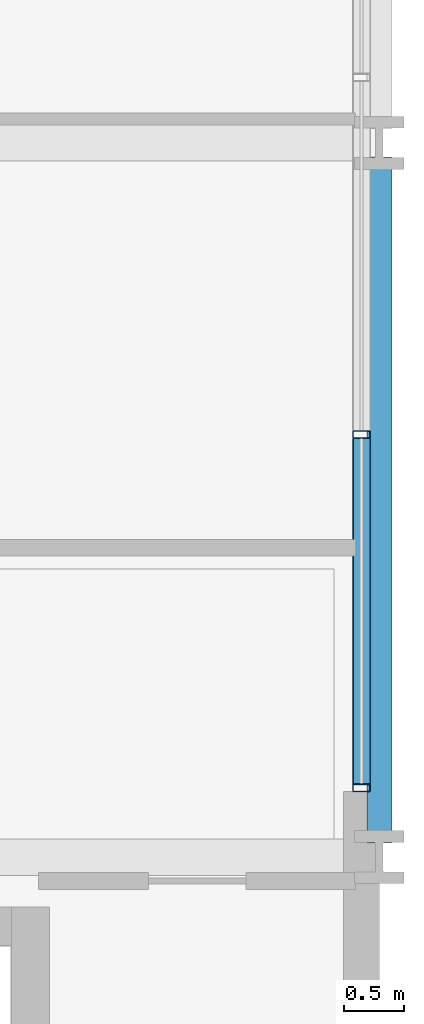
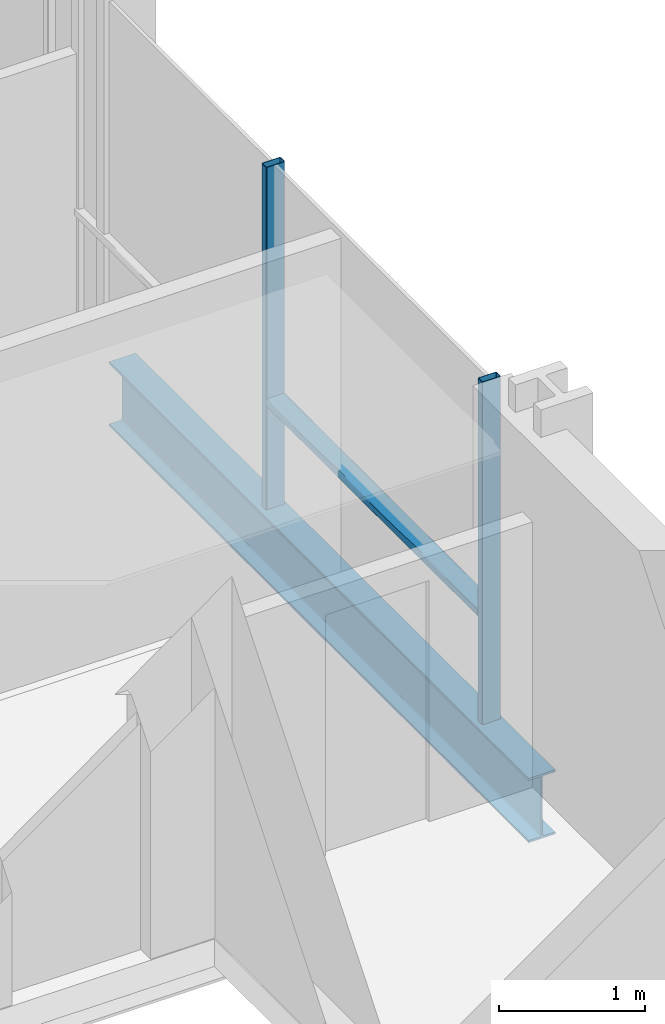
# One storey, part 15 of 40: 3 members, 1 beam, 1 element without a shape of its own.
"""IFC4 building model written with IfcOpenShell, lengths in metres."""

from ifc_helpers import new_model, si_unit, direction, frame, origin, origin_2d, place, context, subcontext, project, spatial, hollow_rectangle, i_section, extrude, material, layer, layer_set, material_profile, profile_set, type_object, element, aggregate, save


model = new_model("IFC4")

# Units and contexts
model_context = context("Model", 3, precision=1e-05, world=origin(), true_north=direction((0.0, 1.0)))
body_context = subcontext(model_context, "Body", "Model", "MODEL_VIEW")
ifc_project = project(units=[si_unit("LENGTHUNIT", "METRE"), si_unit("AREAUNIT", "SQUARE_METRE"), si_unit("VOLUMEUNIT", "CUBIC_METRE"), si_unit("PLANEANGLEUNIT", "RADIAN"), si_unit("MASSUNIT", "GRAM", prefix="KILO")], contexts=[model_context])

# Site, building, storey
site_placement = place(None, origin())
site = spatial("IfcSite", under=ifc_project, at=site_placement, CompositionType="ELEMENT")
building_placement = place(site_placement, origin())
building = spatial("IfcBuilding", under=site, at=building_placement, Name="Brevholm Reach", CompositionType="ELEMENT")
storey_placement = place(building_placement, frame((0.0, 0.0, 31.10009765625)))
storey = spatial("IfcBuildingStorey", under=building, at=storey_placement, Name="L07", CompositionType="ELEMENT", Elevation=31.10009765625)

# Beam
ifc_material_1 = material(Name="Structural Steel S355J2", Category="steel")
ifc_material_profile_1 = material_profile(ifc_material_1, i_section(OverallWidth=0.210693359375, OverallDepth=0.53955078125, WebThickness=0.01171875, FlangeThickness=0.018798828125, FilletRadius=0.0126953125, at=origin_2d()), Name="UKB 533x210x109")
ifc_profile_set_1 = profile_set([ifc_material_profile_1], Name="Structural Steel S355J2")
beam_type = type_object("IfcBeamType", Name="BM-SP539", PredefinedType="SPANDREL", material=ifc_profile_set_1)
beam_placement = place(storey_placement, frame((60.0, 10.1201171875, -0.499755859375), z_axis=(0.0, 1.0, 0.0), x_axis=(-1.0, 0.0, 0.0)))
element("IfcBeam", 1, at=beam_placement, inside=storey, type_object=beam_type, Name="L07 SP-01B Framing Beam", PredefinedType="SPANDREL", context=body_context, shape_type="SweptSolid", body=[
    extrude(i_section(OverallWidth=0.210693359375, OverallDepth=0.53955078125, WebThickness=0.01171875, FlangeThickness=0.018798828125, FilletRadius=0.0126953125, at=origin_2d()), origin(), (0.0, 0.0, 1.0), 5.759765625),
])

# Curtain wall, members
ifc_material_2 = material(Name="Dark Anodised Aluminium 6063-T6 and Solar-Control Glass", Category="aluminium")
ifc_layer = layer(ifc_material_2, 0.14990234375)
ifc_layer_set = layer_set([ifc_layer], Name="Dark Anodised Aluminium 6063-T6 and Solar-Control Glass")
curtain_wall_type = type_object("IfcCurtainWallType", Name="CW-01", PredefinedType="NOTDEFINED", material=ifc_layer_set)
curtain_wall_placement = place(storey_placement, origin())
curtain_wall = element("IfcCurtainWall", 2, at=curtain_wall_placement, inside=storey, type_object=curtain_wall_type, Name="L07 Curtain Wall CW-01", PredefinedType="NOTDEFINED")
ifc_material_3 = material(Name="Dark Anodised Aluminium 6063-T6", Category="aluminium")
ifc_material_profile_2 = material_profile(ifc_material_3, hollow_rectangle(XDim=0.06494140625, YDim=0.14990234375, WallThickness=0.0048828125, InnerFilletRadius=0.0048828125, OuterFilletRadius=0.010009765625, at=origin_2d()), Name="RHS 150x65x5")
ifc_profile_set_2 = profile_set([ifc_material_profile_2], Name="Dark Anodised Aluminium 6063-T6")
member_type_1 = type_object("IfcMemberType", Name="CWM-150", PredefinedType="MULLION", material=ifc_profile_set_2)
member_1_placement = place(storey_placement, frame((59.85009765625, 10.58251953125, 0.0), z_axis=(0.0, 0.0, 1.0), x_axis=(0.0, 1.0, 0.0)))
member_1 = element("IfcMember", 3, at=member_1_placement, type_object=member_type_1, Name="CM-150 Mullion 1", PredefinedType="MULLION", context=body_context, shape_type="SweptSolid", body=[
    extrude(hollow_rectangle(XDim=0.06494140625, YDim=0.14990234375, WallThickness=0.0048828125, InnerFilletRadius=0.0048828125, OuterFilletRadius=0.010009765625, at=origin_2d()), origin(), (0.0, 0.0, 1.0), 2.869873046875),
])
member_2_placement = place(storey_placement, frame((59.85009765625, 13.550048828125, 0.0), z_axis=(0.0, 0.0, 1.0), x_axis=(0.0, 1.0, 0.0)))
member_2 = element("IfcMember", 4, at=member_2_placement, type_object=member_type_1, Name="CM-150 Mullion 2", PredefinedType="MULLION", context=body_context, shape_type="SweptSolid", body=[
    extrude(hollow_rectangle(XDim=0.06494140625, YDim=0.14990234375, WallThickness=0.0048828125, InnerFilletRadius=0.0048828125, OuterFilletRadius=0.010009765625, at=origin_2d()), origin(), (0.0, 0.0, 1.0), 2.869873046875),
])
ifc_material_4 = material(Name="Dark Anodised Aluminium 6063-T6", Category="aluminium")
ifc_material_profile_3 = material_profile(ifc_material_4, hollow_rectangle(XDim=0.06494140625, YDim=0.14990234375, WallThickness=0.0048828125, InnerFilletRadius=0.0048828125, OuterFilletRadius=0.010009765625, at=origin_2d()), Name="RHS 150x65x5")
ifc_profile_set_3 = profile_set([ifc_material_profile_3], Name="Dark Anodised Aluminium 6063-T6")
member_type_2 = type_object("IfcMemberType", Name="CWT-150", PredefinedType="NOTDEFINED", material=ifc_profile_set_3)
member_3_placement = place(storey_placement, frame((59.85009765625, 10.614990234375, 0.89990234375), z_axis=(0.0, 1.0, 0.0), x_axis=(0.0, 0.0, 1.0)))
member_3 = element("IfcMember", 5, at=member_3_placement, type_object=member_type_2, Name="CT-150 Transom 1.1", ObjectType="TRANSOM", PredefinedType="USERDEFINED", context=body_context, shape_type="SweptSolid", body=[
    extrude(hollow_rectangle(XDim=0.06494140625, YDim=0.14990234375, WallThickness=0.0048828125, InnerFilletRadius=0.0048828125, OuterFilletRadius=0.010009765625, at=origin_2d()), origin(), (0.0, 0.0, 1.0), 2.902587890625),
])
aggregate(curtain_wall, [member_1, member_2, member_3])

save(model, "model.ifc")
